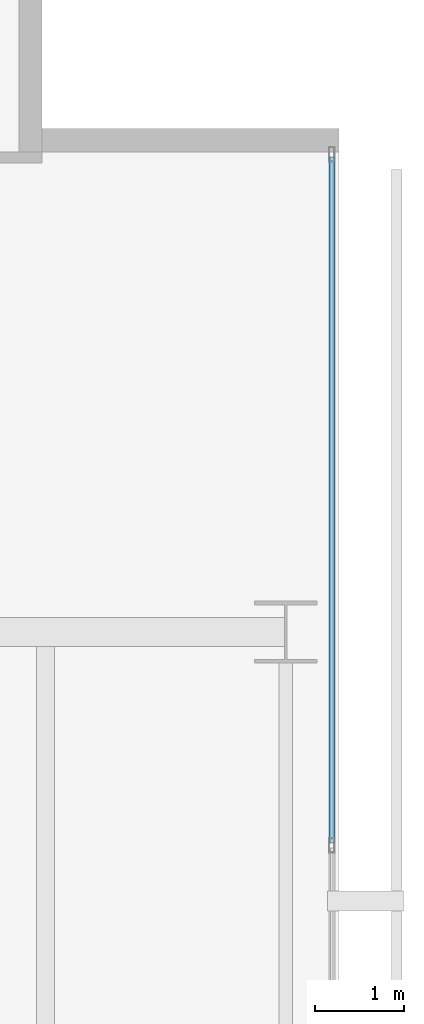
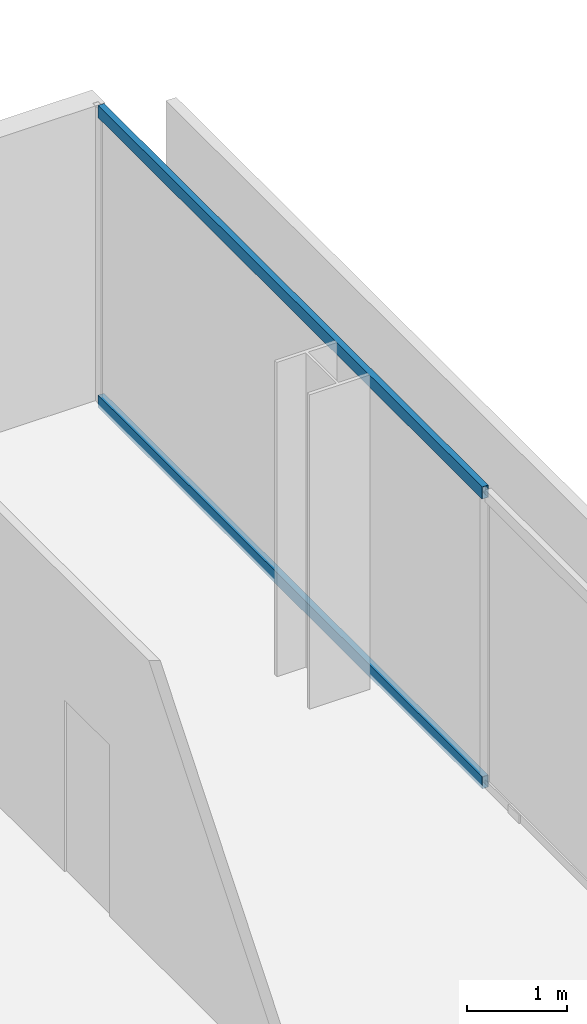
# One storey, part 29 of 40: 2 members, 1 element without a shape of its own.
"""IFC4 building model written with IfcOpenShell, lengths in metres."""

from ifc_helpers import new_model, si_unit, direction, frame, origin, origin_2d, place, context, subcontext, project, spatial, hollow_rectangle, extrude, material, layer, layer_set, material_profile, profile_set, type_object, element, aggregate, save


model = new_model("IFC4")

# Units and contexts
model_context = context("Model", 3, precision=1e-05, world=origin(), true_north=direction((0.0, 1.0)))
body_context = subcontext(model_context, "Body", "Model", "MODEL_VIEW")
ifc_project = project(units=[si_unit("LENGTHUNIT", "METRE"), si_unit("AREAUNIT", "SQUARE_METRE"), si_unit("VOLUMEUNIT", "CUBIC_METRE"), si_unit("PLANEANGLEUNIT", "RADIAN"), si_unit("MASSUNIT", "GRAM", prefix="KILO")], contexts=[model_context])

# Site, building, storey
site_placement = place(None, origin())
site = spatial("IfcSite", under=ifc_project, at=site_placement, CompositionType="ELEMENT")
building_placement = place(site_placement, origin())
building = spatial("IfcBuilding", under=site, at=building_placement, Name="Maruvema Waterfront Hotel and Observation Tower", CompositionType="ELEMENT")
storey_placement = place(building_placement, frame((0.0, 0.0, 73.14990234375)))
storey = spatial("IfcBuildingStorey", under=building, at=storey_placement, Name="L17", CompositionType="ELEMENT", Elevation=73.14990234375)

# Curtain wall, members
ifc_material_1 = material(Name="Anodised bronze aluminium and solar-control low-E IGU", Category="aluminium")
ifc_layer = layer(ifc_material_1, 0.159912109375, Name="Zone 1 Bronze Inner Thermal Curtain Wall System CW-02")
ifc_layer_set = layer_set([ifc_layer], Name="Anodised bronze aluminium and solar-control low-E IGU")
curtain_wall_type = type_object("IfcCurtainWallType", Name="Zone 1 Bronze Inner Thermal Curtain Wall System CW-02", PredefinedType="USERDEFINED", material=ifc_layer_set)
curtain_wall_placement = place(storey_placement, origin())
curtain_wall = element("IfcCurtainWall", 1, at=curtain_wall_placement, inside=storey, type_object=curtain_wall_type, Name="L17 Curtain Wall CW-L17-E", ObjectType="UNITISED CURTAIN WALL", PredefinedType="USERDEFINED")
ifc_material_2 = material(Name="Anodised architectural bronze aluminium", Category="aluminium")
ifc_material_profile = material_profile(ifc_material_2, hollow_rectangle(XDim=0.070068359375, YDim=0.14990234375, WallThickness=0.00390625, at=origin_2d()), Name="ALU-T70x150")
ifc_profile_set = profile_set([ifc_material_profile], Name="Anodised architectural bronze aluminium")
member_type = type_object("IfcMemberType", Name="Curtain Wall Horizontal Transom ALU-T70x150", PredefinedType="USERDEFINED", material=ifc_profile_set)
member_1_placement = place(storey_placement, frame((64.719970703125, 42.6298828125, 0.030029296875), z_axis=(0.0, 1.0, 0.0), x_axis=(-1.0, 0.0, 0.0)))
member_1 = element("IfcMember", 2, at=member_1_placement, type_object=member_type, Name="CW-02 transom 6.1", ObjectType="TRANSOM", PredefinedType="USERDEFINED", context=body_context, shape_type="SweptSolid", body=[
    extrude(hollow_rectangle(XDim=0.070068359375, YDim=0.14990234375, WallThickness=0.00390625, at=origin_2d()), origin(), (0.0, 0.0, 1.0), 7.710205078125),
])
member_2_placement = place(storey_placement, frame((64.719970703125, 42.6298828125, 3.580078125), z_axis=(0.0, 1.0, 0.0), x_axis=(-1.0, 0.0, 0.0)))
member_2 = element("IfcMember", 3, at=member_2_placement, type_object=member_type, Name="CW-02 transom 6.2", ObjectType="TRANSOM", PredefinedType="USERDEFINED", context=body_context, shape_type="SweptSolid", body=[
    extrude(hollow_rectangle(XDim=0.070068359375, YDim=0.14990234375, WallThickness=0.00390625, at=origin_2d()), origin(), (0.0, 0.0, 1.0), 7.710205078125),
])
aggregate(curtain_wall, [member_1, member_2])

save(model, "model.ifc")
